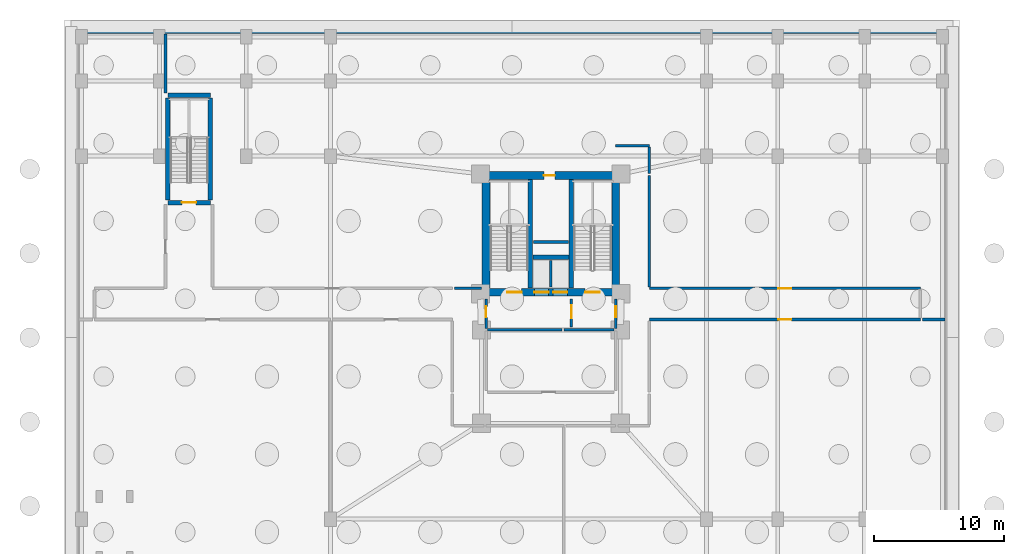
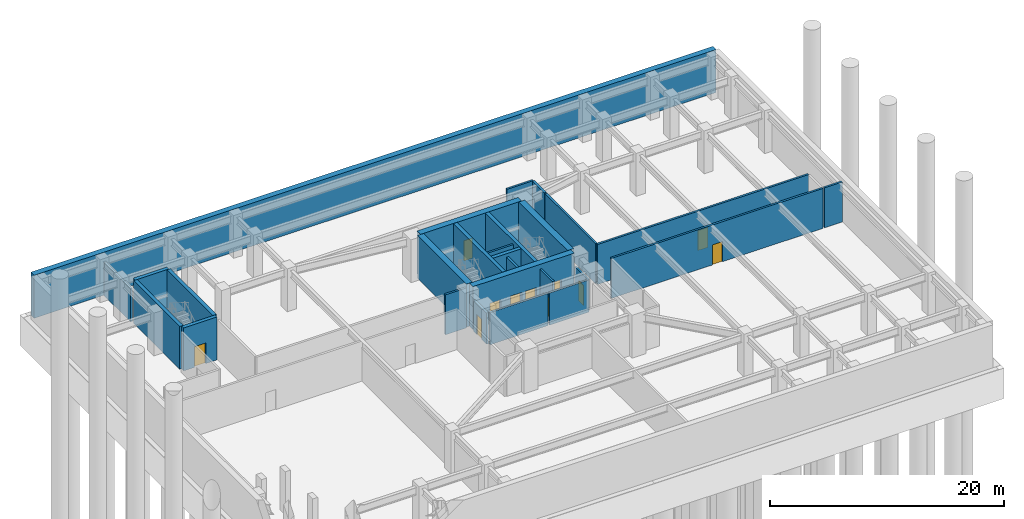
# One storey, part 4 of 7: 27 walls, 11 doors, 11 openings.
"""IFC4 building model written with IfcOpenShell, lengths in metres."""

from ifc_helpers import new_model, si_unit, direction, frame, frame_2d, origin, place, context, subcontext, project, spatial, rectangle, extrude, material, layer, layer_set, type_object, element, fill, save


model = new_model("IFC4")

# Units and contexts
model_context = context("Model", 3, precision=1e-05, world=origin(), true_north=direction((0.0, 1.0)))
body_context = subcontext(model_context, "Body", "Model", "MODEL_VIEW")
ifc_project = project(units=[si_unit("LENGTHUNIT", "METRE"), si_unit("AREAUNIT", "SQUARE_METRE"), si_unit("VOLUMEUNIT", "CUBIC_METRE"), si_unit("PLANEANGLEUNIT", "RADIAN"), si_unit("MASSUNIT", "GRAM", prefix="KILO")], contexts=[model_context])

# Site, building, storey
site_placement = place(None, origin())
site = spatial("IfcSite", under=ifc_project, at=site_placement, CompositionType="ELEMENT")
building_placement = place(site_placement, origin())
building = spatial("IfcBuilding", under=site, at=building_placement, Name="Varnakorn Sky Granary", CompositionType="ELEMENT")
storey_placement = place(building_placement, frame((0.0, 0.0, -13.5)))
storey = spatial("IfcBuildingStorey", under=building, at=storey_placement, Name="B03", CompositionType="ELEMENT", Elevation=-13.5)

# Wall, opening, door
ifc_material_1 = material(Name="Concrete C50/60", Category="concrete")
ifc_layer_1 = layer(ifc_material_1, 0.35009765625, Name="Concrete C50/60")
ifc_layer_set_1 = layer_set([ifc_layer_1], Name="Concrete C50/60")
wall_type_1 = type_object("IfcWallType", Name="WT-CW-INT-350", PredefinedType="SHEAR", material=ifc_layer_set_1)
wall_1_placement = place(storey_placement, frame((-26.550048828125, 10.419921875, 0.0), z_axis=(0.0, 0.0, 1.0), x_axis=(1.0, 0.0, 0.0)))
wall_1 = element("IfcWall", 1, at=wall_1_placement, inside=storey, type_object=wall_type_1, Name="Podium Stair ST-B3 South Wall B03", PredefinedType="SHEAR", context=body_context, shape_type="SweptSolid", body=[
    extrude(rectangle(XDim=3.280029296875, YDim=0.35009765625, at=frame_2d((1.64013671875, 0.0))), origin(), (0.0, 0.0, 1.0), 4.491943359375),
])
opening_1_placement = place(wall_1_placement, frame((1.090087890625, 0.0, 0.0)))
opening_1 = element("IfcOpeningElement", 2, at=opening_1_placement, cuts=wall_1, Name="Opening FD-90", PredefinedType="OPENING", context=body_context, shape_type="SweptSolid", body=[
    extrude(rectangle(XDim=1.10009765625, YDim=2.14990234375, at=frame_2d((0.550048828125, 1.074951171875))), frame((0.0, 0.18505859375, 0.0), z_axis=(0.0, -1.0, 0.0), x_axis=(1.0, 0.0, 0.0)), (0.0, 0.0, 1.0), 0.3701171875),
])
ifc_material_2 = material(Name="Galvanised Painted Steel Leaf", Category="steel")
door_type_1 = type_object("IfcDoorType", Name="DR-STAIR-1100", OperationType="NOTDEFINED", PredefinedType="DOOR", material=ifc_material_2)
door_1_placement = place(opening_1_placement, origin())
door_1 = element("IfcDoor", 3, at=door_1_placement, inside=storey, type_object=door_type_1, Name="Basement Stair ST-B3 Protected Fire Door B03", OperationType="SINGLE_SWING_LEFT", OverallHeight=2.14990234375, OverallWidth=1.10009765625, PredefinedType="DOOR", context=body_context, shape_type="SweptSolid", body=[
    extrude(rectangle(XDim=1.10009765625, YDim=2.14990234375, at=frame_2d((0.550048828125, 1.074951171875))), frame((0.0, 0.02490234375, 0.0), z_axis=(0.0, -1.0, 0.0), x_axis=(1.0, 0.0, 0.0)), (0.0, 0.0, 1.0), 0.050048828125),
])
fill(opening_1, door_1)

# Walls
wall_2_placement = place(storey_placement, frame((-26.550048828125, 18.679931640625, 0.0), z_axis=(0.0, 0.0, 1.0), x_axis=(1.0, 0.0, 0.0)))
element("IfcWall", 4, at=wall_2_placement, inside=storey, type_object=wall_type_1, Name="Podium Stair ST-B3 North Wall B03", PredefinedType="SHEAR", context=body_context, shape_type="SweptSolid", body=[
    extrude(rectangle(XDim=3.280029296875, YDim=0.35009765625, at=frame_2d((1.64013671875, 0.0))), origin(), (0.0, 0.0, 1.0), 4.491943359375),
])
for number, where, z_axis, x_axis, name in (
    (5, (-26.550048828125, 10.610107421875, 0.0), (0.0, 0.0, 1.0), (0.0, 1.0, 0.0), "Podium Stair ST-B3 West Wall B03"),
    (6, (-23.27001953125, 10.610107421875, 0.0), (0.0, 0.0, 1.0), (0.0, 1.0, 0.0), "Podium Stair ST-B3 East Wall B03"),
):
    element("IfcWall", number, at=place(storey_placement, frame(where, z_axis=z_axis, x_axis=x_axis)), inside=storey, type_object=wall_type_1, Name=name, PredefinedType="SHEAR", context=body_context, shape_type="SweptSolid", body=[
        extrude(rectangle(XDim=7.8798828125, YDim=0.35009765625, at=frame_2d((3.93994140625, 0.0))), origin(), (0.0, 0.0, 1.0), 4.491943359375),
    ])
for number, where, z_axis, x_axis, name in (
    (7, (1.419921875, 3.81005859375, 0.0), (0.0, 0.0, 1.0), (0.0, 1.0, 0.0), "Stair ST-1 Core Wall B03"),
    (8, (4.580078125, 3.81005859375, 0.0), (0.0, 0.0, 1.0), (0.0, 1.0, 0.0), "Stair ST-2 Core Wall B03"),
):
    element("IfcWall", number, at=place(storey_placement, frame(where, z_axis=z_axis, x_axis=x_axis)), inside=storey, type_object=wall_type_1, Name=name, PredefinedType="SHEAR", context=body_context, shape_type="SweptSolid", body=[
        extrude(rectangle(XDim=8.3798828125, YDim=0.35009765625, at=frame_2d((4.18994140625, 0.0))), origin(), (0.0, 0.0, 1.0), 4.491943359375),
    ])
wall_3_placement = place(storey_placement, frame((1.610107421875, 6.199951171875, 0.0), z_axis=(0.0, 0.0, 1.0), x_axis=(1.0, 0.0, 0.0)))
element("IfcWall", 9, at=wall_3_placement, inside=storey, type_object=wall_type_1, Name="Core Lift Shaft Cross Wall B03", PredefinedType="SHEAR", context=body_context, shape_type="SweptSolid", body=[
    extrude(rectangle(XDim=2.77978515625, YDim=0.35009765625, at=frame_2d((1.389892578125, 0.0))), origin(), (0.0, 0.0, 1.0), 4.491943359375),
])

# Wall, openings, doors
ifc_material_3 = material(Name="Concrete C60/75", Category="concrete")
ifc_layer_2 = layer(ifc_material_3, 0.60009765625, Name="Concrete C60/75")
ifc_layer_set_2 = layer_set([ifc_layer_2], Name="Concrete C60/75")
wall_type_2 = type_object("IfcWallType", Name="WT-CW-SHEAR-600", PredefinedType="SHEAR", material=ifc_layer_set_2)
wall_4_placement = place(storey_placement, frame((-2.0, 3.5, 0.0), z_axis=(0.0, 0.0, 1.0), x_axis=(1.0, 0.0, 0.0)))
wall_4 = element("IfcWall", 10, at=wall_4_placement, inside=storey, type_object=wall_type_2, Name="Core South Shear Wall B03", PredefinedType="SHEAR", context=body_context, shape_type="SweptSolid", body=[
    extrude(rectangle(XDim=10.0, YDim=0.60009765625, at=frame_2d((5.0, 0.0))), origin(), (0.0, 0.0, 1.0), 4.491943359375),
])
opening_2_placement = place(wall_4_placement, frame((1.64990234375, 0.0, 0.0)))
opening_2 = element("IfcOpeningElement", 11, at=opening_2_placement, cuts=wall_4, Name="Opening FD-90", PredefinedType="OPENING", context=body_context, shape_type="SweptSolid", body=[
    extrude(rectangle(XDim=1.10009765625, YDim=2.14990234375, at=frame_2d((0.550048828125, 1.074951171875))), frame((0.0, 0.31005859375, 0.0), z_axis=(0.0, -1.0, 0.0), x_axis=(1.0, 0.0, 0.0)), (0.0, 0.0, 1.0), 0.6201171875),
])
opening_3_placement = place(wall_4_placement, frame((7.64990234375, 0.0, 0.0)))
opening_3 = element("IfcOpeningElement", 12, at=opening_3_placement, cuts=wall_4, Name="Opening FD-90", PredefinedType="OPENING", context=body_context, shape_type="SweptSolid", body=[
    extrude(rectangle(XDim=1.10009765625, YDim=2.14990234375, at=frame_2d((0.550048828125, 1.074951171875))), frame((0.0, 0.31005859375, 0.0), z_axis=(0.0, -1.0, 0.0), x_axis=(1.0, 0.0, 0.0)), (0.0, 0.0, 1.0), 0.6201171875),
])
opening_4_placement = place(wall_4_placement, frame((3.719970703125, 0.0, 0.0)))
opening_4 = element("IfcOpeningElement", 13, at=opening_4_placement, cuts=wall_4, Name="Opening LD-01", PredefinedType="OPENING", context=body_context, shape_type="SweptSolid", body=[
    extrude(rectangle(XDim=1.10009765625, YDim=2.199951171875, at=frame_2d((0.550048828125, 1.10009765625))), frame((0.0, 0.31005859375, 0.0), z_axis=(0.0, -1.0, 0.0), x_axis=(1.0, 0.0, 0.0)), (0.0, 0.0, 1.0), 0.6201171875),
])
opening_5_placement = place(wall_4_placement, frame((5.179931640625, 0.0, 0.0)))
opening_5 = element("IfcOpeningElement", 14, at=opening_5_placement, cuts=wall_4, Name="Opening LD-01", PredefinedType="OPENING", context=body_context, shape_type="SweptSolid", body=[
    extrude(rectangle(XDim=1.10009765625, YDim=2.199951171875, at=frame_2d((0.550048828125, 1.10009765625))), frame((0.0, 0.31005859375, 0.0), z_axis=(0.0, -1.0, 0.0), x_axis=(1.0, 0.0, 0.0)), (0.0, 0.0, 1.0), 0.6201171875),
])
ifc_material_4 = material(Name="Brushed Bronze Stainless Steel", Category="steel")
door_type_2 = type_object("IfcDoorType", Name="DR-LD-1100", OperationType="DOUBLE_DOOR_SLIDING", PredefinedType="DOOR", material=ifc_material_4)
door_2_placement = place(opening_4_placement, origin())
door_2 = element("IfcDoor", 15, at=door_2_placement, inside=storey, type_object=door_type_2, Name="Firefighting Lift FFL-1 Landing Door B03", OperationType="DOUBLE_DOOR_SLIDING", OverallHeight=2.199951171875, OverallWidth=1.10009765625, PredefinedType="DOOR", context=body_context, shape_type="SweptSolid", body=[
    extrude(rectangle(XDim=1.10009765625, YDim=2.199951171875, at=frame_2d((0.550048828125, 1.10009765625))), frame((0.0, 0.02490234375, 0.0), z_axis=(0.0, -1.0, 0.0), x_axis=(1.0, 0.0, 0.0)), (0.0, 0.0, 1.0), 0.050048828125),
])
fill(opening_4, door_2)
door_3_placement = place(opening_5_placement, origin())
door_3 = element("IfcDoor", 16, at=door_3_placement, inside=storey, type_object=door_type_2, Name="Firefighting Lift FFL-2 Landing Door B03", OperationType="DOUBLE_DOOR_SLIDING", OverallHeight=2.199951171875, OverallWidth=1.10009765625, PredefinedType="DOOR", context=body_context, shape_type="SweptSolid", body=[
    extrude(rectangle(XDim=1.10009765625, YDim=2.199951171875, at=frame_2d((0.550048828125, 1.10009765625))), frame((0.0, 0.02490234375, 0.0), z_axis=(0.0, -1.0, 0.0), x_axis=(1.0, 0.0, 0.0)), (0.0, 0.0, 1.0), 0.050048828125),
])
fill(opening_5, door_3)
door_4_placement = place(opening_2_placement, origin())
door_4 = element("IfcDoor", 17, at=door_4_placement, inside=storey, type_object=door_type_1, Name="Stair ST-1 Protected Fire Door B03", OperationType="SINGLE_SWING_LEFT", OverallHeight=2.14990234375, OverallWidth=1.10009765625, PredefinedType="DOOR", context=body_context, shape_type="SweptSolid", body=[
    extrude(rectangle(XDim=1.10009765625, YDim=2.14990234375, at=frame_2d((0.550048828125, 1.074951171875))), frame((0.0, 0.02490234375, 0.0), z_axis=(0.0, -1.0, 0.0), x_axis=(1.0, 0.0, 0.0)), (0.0, 0.0, 1.0), 0.050048828125),
])
fill(opening_2, door_4)
door_5_placement = place(opening_3_placement, origin())
door_5 = element("IfcDoor", 18, at=door_5_placement, inside=storey, type_object=door_type_1, Name="Stair ST-2 Protected Fire Door B03", OperationType="SINGLE_SWING_RIGHT", OverallHeight=2.14990234375, OverallWidth=1.10009765625, PredefinedType="DOOR", context=body_context, shape_type="SweptSolid", body=[
    extrude(rectangle(XDim=1.10009765625, YDim=2.14990234375, at=frame_2d((0.550048828125, 1.074951171875))), frame((0.0, 0.02490234375, 0.0), z_axis=(0.0, -1.0, 0.0), x_axis=(1.0, 0.0, 0.0)), (0.0, 0.0, 1.0), 0.050048828125),
])
fill(opening_3, door_5)

# Wall, opening, door
wall_5_placement = place(storey_placement, frame((-2.0, 12.5, 0.0), z_axis=(0.0, 0.0, 1.0), x_axis=(1.0, 0.0, 0.0)))
wall_5 = element("IfcWall", 19, at=wall_5_placement, inside=storey, type_object=wall_type_2, Name="Core North Shear Wall B03", PredefinedType="SHEAR", context=body_context, shape_type="SweptSolid", body=[
    extrude(rectangle(XDim=10.0, YDim=0.60009765625, at=frame_2d((5.0, 0.0))), origin(), (0.0, 0.0, 1.0), 4.491943359375),
])
opening_6_placement = place(wall_5_placement, frame((4.449951171875, 0.0, 0.0)))
opening_6 = element("IfcOpeningElement", 20, at=opening_6_placement, cuts=wall_5, Name="Opening FD-60N", PredefinedType="OPENING", context=body_context, shape_type="SweptSolid", body=[
    extrude(rectangle(XDim=0.85009765625, YDim=2.10009765625, at=frame_2d((0.425048828125, 1.050048828125))), frame((0.0, 0.31005859375, 0.0), z_axis=(0.0, -1.0, 0.0), x_axis=(1.0, 0.0, 0.0)), (0.0, 0.0, 1.0), 0.6201171875),
])
ifc_material_5 = material(Name="Acoustic Timber Fire Leaf", Category="wood")
door_type_3 = type_object("IfcDoorType", Name="DR-FD60-850", OperationType="NOTDEFINED", PredefinedType="DOOR", material=ifc_material_5)
door_6_placement = place(opening_6_placement, origin())
door_6 = element("IfcDoor", 21, at=door_6_placement, inside=storey, type_object=door_type_3, Name="Core North Service Door B03", OperationType="SINGLE_SWING_LEFT", OverallHeight=2.10009765625, OverallWidth=0.85009765625, PredefinedType="DOOR", context=body_context, shape_type="SweptSolid", body=[
    extrude(rectangle(XDim=0.85009765625, YDim=2.10009765625, at=frame_2d((0.425048828125, 1.050048828125))), frame((0.0, 0.02490234375, 0.0), z_axis=(0.0, -1.0, 0.0), x_axis=(1.0, 0.0, 0.0)), (0.0, 0.0, 1.0), 0.050048828125),
])
fill(opening_6, door_6)

# Walls
for number, where, z_axis, x_axis, name in (
    (22, (-2.0, 3.81005859375, 0.0), (0.0, 0.0, 1.0), (0.0, 1.0, 0.0), "Core West Shear Wall B03"),
    (23, (8.0, 3.81005859375, 0.0), (0.0, 0.0, 1.0), (0.0, 1.0, 0.0), "Core East Shear Wall B03"),
):
    element("IfcWall", number, at=place(storey_placement, frame(where, z_axis=z_axis, x_axis=x_axis)), inside=storey, type_object=wall_type_2, Name=name, PredefinedType="SHEAR", context=body_context, shape_type="SweptSolid", body=[
        extrude(rectangle(XDim=8.3798828125, YDim=0.60009765625, at=frame_2d((4.18994140625, 0.0))), origin(), (0.0, 0.0, 1.0), 4.491943359375),
    ])

# Wall, opening, door
ifc_material_6 = material(Name="Autoclaved Aerated Concrete Blockwork", Category="masonry")
ifc_layer_3 = layer(ifc_material_6, 0.199951171875, Name="Autoclaved Aerated Concrete Blockwork")
ifc_layer_set_3 = layer_set([ifc_layer_3], Name="Autoclaved Aerated Concrete Blockwork")
wall_type_3 = type_object("IfcWallType", Name="WT-FIRE-200", PredefinedType="MOVABLE", material=ifc_layer_set_3)
wall_6_placement = place(storey_placement, frame((4.580078125, 0.830078125, 0.0), z_axis=(0.0, 0.0, 1.0), x_axis=(0.0, 1.0, 0.0)))
wall_6 = element("IfcWall", 24, at=wall_6_placement, inside=storey, type_object=wall_type_3, Name="Interior Partition Wall B03-004", PredefinedType="MOVABLE", context=body_context, shape_type="SweptSolid", body=[
    extrude(rectangle(XDim=2.139892578125, YDim=0.199951171875, at=frame_2d((1.06982421875, 0.0))), origin(), (0.0, 0.0, 1.0), 4.179931640625),
])
opening_7_placement = place(wall_6_placement, frame((0.659912109375, 0.0, 0.0)))
opening_7 = element("IfcOpeningElement", 25, at=opening_7_placement, cuts=wall_6, Name="Opening FD-60", PredefinedType="OPENING", context=body_context, shape_type="SweptSolid", body=[
    extrude(rectangle(XDim=1.0, YDim=2.10009765625, at=frame_2d((0.5, 1.050048828125))), frame((0.0, 0.10986328125, 0.0), z_axis=(0.0, -1.0, 0.0), x_axis=(1.0, 0.0, 0.0)), (0.0, 0.0, 1.0), 0.219970703125),
])
door_type_4 = type_object("IfcDoorType", Name="DR-FD60-1000", OperationType="NOTDEFINED", PredefinedType="DOOR", material=ifc_material_5)
door_7_placement = place(opening_7_placement, origin())
door_7 = element("IfcDoor", 26, at=door_7_placement, inside=storey, type_object=door_type_4, Name="Interior Door B03-004-1", OperationType="SINGLE_SWING_LEFT", OverallHeight=2.10009765625, OverallWidth=1.0, PredefinedType="DOOR", context=body_context, shape_type="SweptSolid", body=[
    extrude(rectangle(XDim=1.0, YDim=2.10009765625, at=frame_2d((0.5, 1.050048828125))), frame((0.0, 0.02490234375, 0.0), z_axis=(0.0, -1.0, 0.0), x_axis=(1.0, 0.0, 0.0)), (0.0, 0.0, 1.0), 0.050048828125),
])
fill(opening_7, door_7)

wall_7_placement = place(storey_placement, frame((-2.0, 0.719970703125, 0.0), z_axis=(0.0, 0.0, 1.0), x_axis=(0.0, 1.0, 0.0)))
wall_7 = element("IfcWall", 27, at=wall_7_placement, inside=storey, type_object=wall_type_3, Name="Interior Partition Wall B03-005", PredefinedType="MOVABLE", context=body_context, shape_type="SweptSolid", body=[
    extrude(rectangle(XDim=2.25, YDim=0.199951171875, at=frame_2d((1.125, 0.0))), origin(), (0.0, 0.0, 1.0), 3.261962890625),
])
opening_8_placement = place(wall_7_placement, frame((0.844970703125, 0.0, 0.0)))
opening_8 = element("IfcOpeningElement", 28, at=opening_8_placement, cuts=wall_7, Name="Opening FD-60N", PredefinedType="OPENING", context=body_context, shape_type="SweptSolid", body=[
    extrude(rectangle(XDim=0.85009765625, YDim=2.10009765625, at=frame_2d((0.425048828125, 1.050048828125))), frame((0.0, 0.10986328125, 0.0), z_axis=(0.0, -1.0, 0.0), x_axis=(1.0, 0.0, 0.0)), (0.0, 0.0, 1.0), 0.219970703125),
])
door_8_placement = place(opening_8_placement, origin())
door_8 = element("IfcDoor", 29, at=door_8_placement, inside=storey, type_object=door_type_3, Name="Interior Door B03-005-1", OperationType="SINGLE_SWING_RIGHT", OverallHeight=2.10009765625, OverallWidth=0.85009765625, PredefinedType="DOOR", context=body_context, shape_type="SweptSolid", body=[
    extrude(rectangle(XDim=0.85009765625, YDim=2.10009765625, at=frame_2d((0.425048828125, 1.050048828125))), frame((0.0, 0.02490234375, 0.0), z_axis=(0.0, -1.0, 0.0), x_axis=(1.0, 0.0, 0.0)), (0.0, 0.0, 1.0), 0.050048828125),
])
fill(opening_8, door_8)

wall_8_placement = place(storey_placement, frame((8.0, 0.719970703125, 0.0), z_axis=(0.0, 0.0, 1.0), x_axis=(0.0, 1.0, 0.0)))
wall_8 = element("IfcWall", 30, at=wall_8_placement, inside=storey, type_object=wall_type_3, Name="Interior Partition Wall B03-006", PredefinedType="MOVABLE", context=body_context, shape_type="SweptSolid", body=[
    extrude(rectangle(XDim=2.25, YDim=0.199951171875, at=frame_2d((1.125, 0.0))), origin(), (0.0, 0.0, 1.0), 3.261962890625),
])
opening_9_placement = place(wall_8_placement, frame((0.844970703125, 0.0, 0.0)))
opening_9 = element("IfcOpeningElement", 31, at=opening_9_placement, cuts=wall_8, Name="Opening FD-60N", PredefinedType="OPENING", context=body_context, shape_type="SweptSolid", body=[
    extrude(rectangle(XDim=0.85009765625, YDim=2.10009765625, at=frame_2d((0.425048828125, 1.050048828125))), frame((0.0, 0.10986328125, 0.0), z_axis=(0.0, -1.0, 0.0), x_axis=(1.0, 0.0, 0.0)), (0.0, 0.0, 1.0), 0.219970703125),
])
door_9_placement = place(opening_9_placement, origin())
door_9 = element("IfcDoor", 32, at=door_9_placement, inside=storey, type_object=door_type_3, Name="Interior Door B03-006-1", OperationType="SINGLE_SWING_LEFT", OverallHeight=2.10009765625, OverallWidth=0.85009765625, PredefinedType="DOOR", context=body_context, shape_type="SweptSolid", body=[
    extrude(rectangle(XDim=0.85009765625, YDim=2.10009765625, at=frame_2d((0.425048828125, 1.050048828125))), frame((0.0, 0.02490234375, 0.0), z_axis=(0.0, -1.0, 0.0), x_axis=(1.0, 0.0, 0.0)), (0.0, 0.0, 1.0), 0.050048828125),
])
fill(opening_9, door_9)

wall_9_placement = place(storey_placement, frame((10.60009765625, 1.39990234375, 0.0), z_axis=(0.0, 0.0, 1.0), x_axis=(1.0, 0.0, 0.0)))
wall_9 = element("IfcWall", 33, at=wall_9_placement, inside=storey, type_object=wall_type_3, Name="Interior Partition Wall B03-010", PredefinedType="MOVABLE", context=body_context, shape_type="SweptSolid", body=[
    extrude(rectangle(XDim=20.89990234375, YDim=0.199951171875, at=frame_2d((10.449951171875, 0.0))), origin(), (0.0, 0.0, 1.0), 4.179931640625),
])
opening_10_placement = place(wall_9_placement, frame((9.949951171875, 0.0, 0.0)))
opening_10 = element("IfcOpeningElement", 34, at=opening_10_placement, cuts=wall_9, Name="Opening FD-60", PredefinedType="OPENING", context=body_context, shape_type="SweptSolid", body=[
    extrude(rectangle(XDim=1.0, YDim=2.10009765625, at=frame_2d((0.5, 1.050048828125))), frame((0.0, 0.10986328125, 0.0), z_axis=(0.0, -1.0, 0.0), x_axis=(1.0, 0.0, 0.0)), (0.0, 0.0, 1.0), 0.219970703125),
])
door_10_placement = place(opening_10_placement, origin())
door_10 = element("IfcDoor", 35, at=door_10_placement, inside=storey, type_object=door_type_4, Name="Interior Door B03-010-1", OperationType="SINGLE_SWING_LEFT", OverallHeight=2.10009765625, OverallWidth=1.0, PredefinedType="DOOR", context=body_context, shape_type="SweptSolid", body=[
    extrude(rectangle(XDim=1.0, YDim=2.10009765625, at=frame_2d((0.5, 1.050048828125))), frame((0.0, 0.02490234375, 0.0), z_axis=(0.0, -1.0, 0.0), x_axis=(1.0, 0.0, 0.0)), (0.0, 0.0, 1.0), 0.050048828125),
])
fill(opening_10, door_10)

wall_10_placement = place(storey_placement, frame((31.5, 3.800048828125, 0.0), z_axis=(0.0, 0.0, 1.0), x_axis=(-1.0, 0.0, 0.0)))
wall_10 = element("IfcWall", 36, at=wall_10_placement, inside=storey, type_object=wall_type_3, Name="Interior Partition Wall B03-013", PredefinedType="MOVABLE", context=body_context, shape_type="SweptSolid", body=[
    extrude(rectangle(XDim=20.89990234375, YDim=0.199951171875, at=frame_2d((10.449951171875, 0.0))), origin(), (0.0, 0.0, 1.0), 4.179931640625),
])
opening_11_placement = place(wall_10_placement, frame((9.949951171875, 0.0, 0.0)))
opening_11 = element("IfcOpeningElement", 37, at=opening_11_placement, cuts=wall_10, Name="Opening FD-60", PredefinedType="OPENING", context=body_context, shape_type="SweptSolid", body=[
    extrude(rectangle(XDim=1.0, YDim=2.10009765625, at=frame_2d((0.5, 1.050048828125))), frame((0.0, 0.10986328125, 0.0), z_axis=(0.0, -1.0, 0.0), x_axis=(1.0, 0.0, 0.0)), (0.0, 0.0, 1.0), 0.219970703125),
])
door_11_placement = place(opening_11_placement, origin())
door_11 = element("IfcDoor", 38, at=door_11_placement, inside=storey, type_object=door_type_4, Name="Interior Door B03-013-1", OperationType="SINGLE_SWING_RIGHT", OverallHeight=2.10009765625, OverallWidth=1.0, PredefinedType="DOOR", context=body_context, shape_type="SweptSolid", body=[
    extrude(rectangle(XDim=1.0, YDim=2.10009765625, at=frame_2d((0.5, 1.050048828125))), frame((0.0, 0.02490234375, 0.0), z_axis=(0.0, -1.0, 0.0), x_axis=(1.0, 0.0, 0.0)), (0.0, 0.0, 1.0), 0.050048828125),
])
fill(opening_11, door_11)

# Walls
wall_11_placement = place(storey_placement, frame((-1.8798828125, 0.60009765625, 0.0), z_axis=(0.0, 0.0, 1.0), x_axis=(1.0, 0.0, 0.0)))
element("IfcWall", 39, at=wall_11_placement, inside=storey, type_object=wall_type_3, Name="Interior Partition Wall B03-014", PredefinedType="MOVABLE", context=body_context, shape_type="SweptSolid", body=[
    extrude(rectangle(XDim=5.719970703125, YDim=0.199951171875, at=frame_2d((2.85986328125, 0.0))), origin(), (0.0, 0.0, 1.0), 3.362060546875),
])
wall_12_placement = place(storey_placement, frame((-2.360107421875, 3.800048828125, 0.0), z_axis=(0.0, 0.0, 1.0), x_axis=(-1.0, 0.0, 0.0)))
element("IfcWall", 40, at=wall_12_placement, inside=storey, type_object=wall_type_3, Name="Interior Partition Wall B03-028", PredefinedType="MOVABLE", context=body_context, shape_type="SweptSolid", body=[
    extrude(rectangle(XDim=2.079833984375, YDim=0.199951171875, at=frame_2d((1.0400390625, 0.0))), origin(), (0.0, 0.0, 1.0), 4.179931640625),
])
wall_13_placement = place(storey_placement, frame((10.60009765625, 3.909912109375, 0.0), z_axis=(0.0, 0.0, 1.0), x_axis=(0.0, 1.0, 0.0)))
element("IfcWall", 41, at=wall_13_placement, inside=storey, type_object=wall_type_3, Name="Interior Partition Wall B03-029", PredefinedType="MOVABLE", context=body_context, shape_type="SweptSolid", body=[
    extrude(rectangle(XDim=8.590087890625, YDim=0.199951171875, at=frame_2d((4.294921875, 0.0))), origin(), (0.0, 0.0, 1.0), 4.179931640625),
])
wall_14_placement = place(storey_placement, frame((10.60009765625, 14.800048828125, 0.0), z_axis=(0.0, 0.0, 1.0), x_axis=(-1.0, 0.0, 0.0)))
element("IfcWall", 42, at=wall_14_placement, inside=storey, type_object=wall_type_3, Name="Interior Partition Wall B03-030", PredefinedType="MOVABLE", context=body_context, shape_type="SweptSolid", body=[
    extrude(rectangle(XDim=2.60009765625, YDim=0.199951171875, at=frame_2d((1.300048828125, 0.0))), origin(), (0.0, 0.0, 1.0), 4.179931640625),
])
wall_15_placement = place(storey_placement, frame((10.60009765625, 12.659912109375, 0.0), z_axis=(0.0, 0.0, 1.0), x_axis=(0.0, 1.0, 0.0)))
element("IfcWall", 43, at=wall_15_placement, inside=storey, type_object=wall_type_3, Name="Interior Partition Wall B03-032", PredefinedType="MOVABLE", context=body_context, shape_type="SweptSolid", body=[
    extrude(rectangle(XDim=2.030029296875, YDim=0.199951171875, at=frame_2d((1.01513671875, 0.0))), origin(), (0.0, 0.0, 1.0), 4.179931640625),
])
wall_16_placement = place(storey_placement, frame((31.659912109375, 1.39990234375, 0.0), z_axis=(0.0, 0.0, 1.0), x_axis=(1.0, 0.0, 0.0)))
element("IfcWall", 44, at=wall_16_placement, inside=storey, type_object=wall_type_3, Name="Interior Partition Wall B03-036", PredefinedType="MOVABLE", context=body_context, shape_type="SweptSolid", body=[
    extrude(rectangle(XDim=1.755126953125, YDim=0.199951171875, at=frame_2d((0.87744140625, 0.0))), origin(), (0.0, 0.0, 1.0), 4.179931640625),
])
wall_17_placement = place(storey_placement, frame((-26.72998046875, 23.4150390625, 0.0), z_axis=(0.0, 0.0, 1.0), x_axis=(0.0, -1.0, 0.0)))
element("IfcWall", 45, at=wall_17_placement, inside=storey, type_object=wall_type_3, Name="Interior Partition Wall B03-037", PredefinedType="MOVABLE", context=body_context, shape_type="SweptSolid", body=[
    extrude(rectangle(XDim=4.56494140625, YDim=0.199951171875, at=frame_2d((2.282470703125, 0.0))), origin(), (0.0, 0.0, 1.0), 3.4619140625),
])
ifc_layer_4 = layer(ifc_material_1, 0.550048828125, Name="Concrete C50/60")
ifc_layer_set_4 = layer_set([ifc_layer_4], Name="Concrete C50/60")
wall_type_4 = type_object("IfcWallType", Name="WT-RW-BSMT-550", PredefinedType="SOLIDWALL", material=ifc_layer_set_4)
wall_18_placement = place(storey_placement, frame((-33.72509765625, 23.72509765625, 0.0), z_axis=(0.0, 0.0, 1.0), x_axis=(1.0, 0.0, 0.0)))
element("IfcWall", 46, at=wall_18_placement, inside=storey, type_object=wall_type_4, Name="Basement Perimeter Retaining Wall B03-N", PredefinedType="SOLIDWALL", context=body_context, shape_type="SweptSolid", body=[
    extrude(rectangle(XDim=67.4501953125, YDim=0.550048828125, at=frame_2d((33.72509765625, 0.0))), origin(), (0.0, 0.0, 1.0), 4.491943359375),
])
ifc_layer_5 = layer(ifc_material_6, 0.199951171875, Name="Autoclaved Aerated Concrete Blockwork")
ifc_layer_set_5 = layer_set([ifc_layer_5], Name="Autoclaved Aerated Concrete Blockwork")
wall_type_5 = type_object("IfcWallType", Name="WT-SHAFT-200", PredefinedType="SOLIDWALL", material=ifc_layer_set_5)
wall_19_placement = place(storey_placement, frame((3.0, 3.919921875, 0.0), z_axis=(0.0, 0.0, 1.0), x_axis=(0.0, 1.0, 0.0)))
element("IfcWall", 47, at=wall_19_placement, inside=storey, type_object=wall_type_5, Name="Interior Partition Wall B03-001", PredefinedType="SOLIDWALL", context=body_context, shape_type="SweptSolid", body=[
    extrude(rectangle(XDim=2.030029296875, YDim=0.199951171875, at=frame_2d((1.01513671875, 0.0))), origin(), (0.0, 0.0, 1.0), 4.179931640625),
])
wall_20_placement = place(storey_placement, frame((1.64990234375, 7.3798828125, 0.0), z_axis=(0.0, 0.0, 1.0), x_axis=(1.0, 0.0, 0.0)))
element("IfcWall", 48, at=wall_20_placement, inside=storey, type_object=wall_type_5, Name="Interior Partition Wall B03-002", PredefinedType="SOLIDWALL", context=body_context, shape_type="SweptSolid", body=[
    extrude(rectangle(XDim=2.7001953125, YDim=0.199951171875, at=frame_2d((1.35009765625, 0.0))), origin(), (0.0, 0.0, 1.0), 4.179931640625),
])
wall_21_placement = place(storey_placement, frame((4.0, 0.60009765625, 0.0), z_axis=(0.0, 0.0, 1.0), x_axis=(1.0, 0.0, 0.0)))
element("IfcWall", 49, at=wall_21_placement, inside=storey, type_object=wall_type_5, Name="Interior Partition Wall B03-003", PredefinedType="SOLIDWALL", context=body_context, shape_type="SweptSolid", body=[
    extrude(rectangle(XDim=3.8798828125, YDim=0.199951171875, at=frame_2d((1.93994140625, 0.0))), origin(), (0.0, 0.0, 1.0), 3.362060546875),
])

save(model, "model.ifc")
